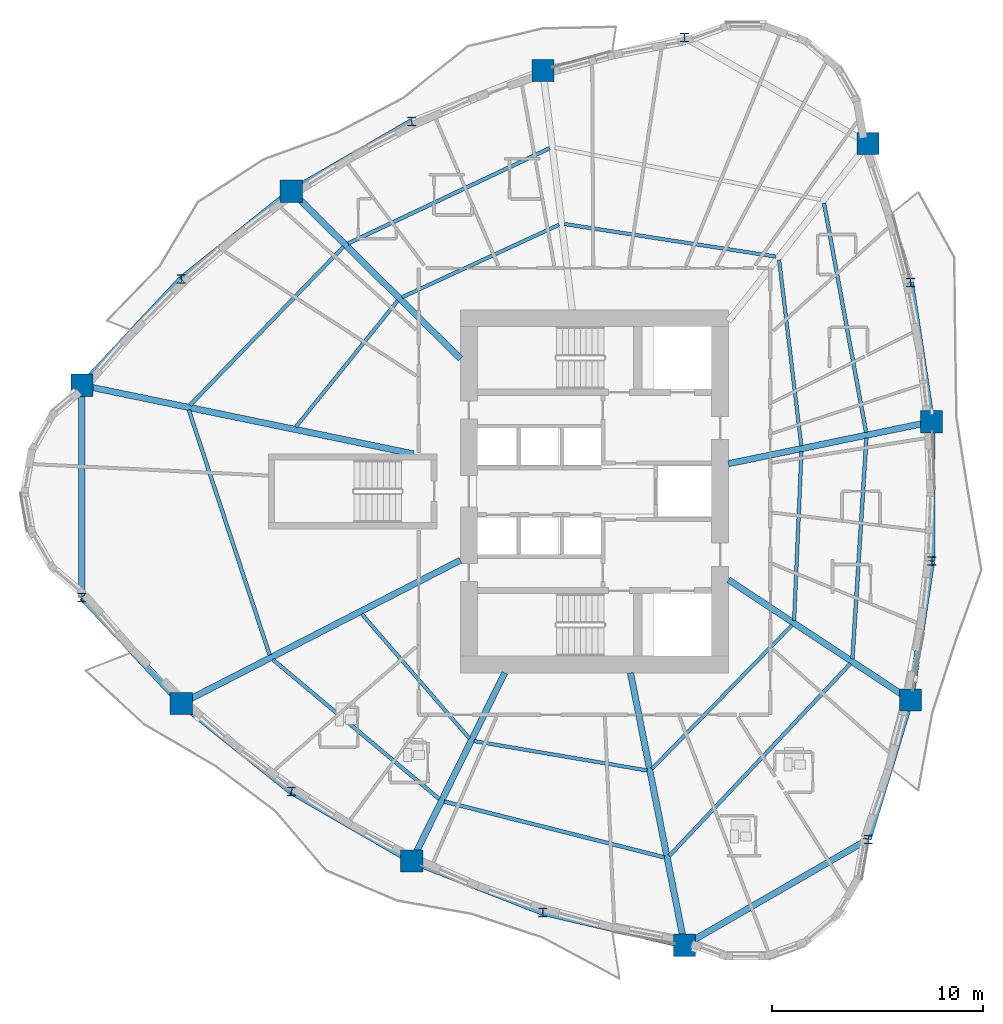
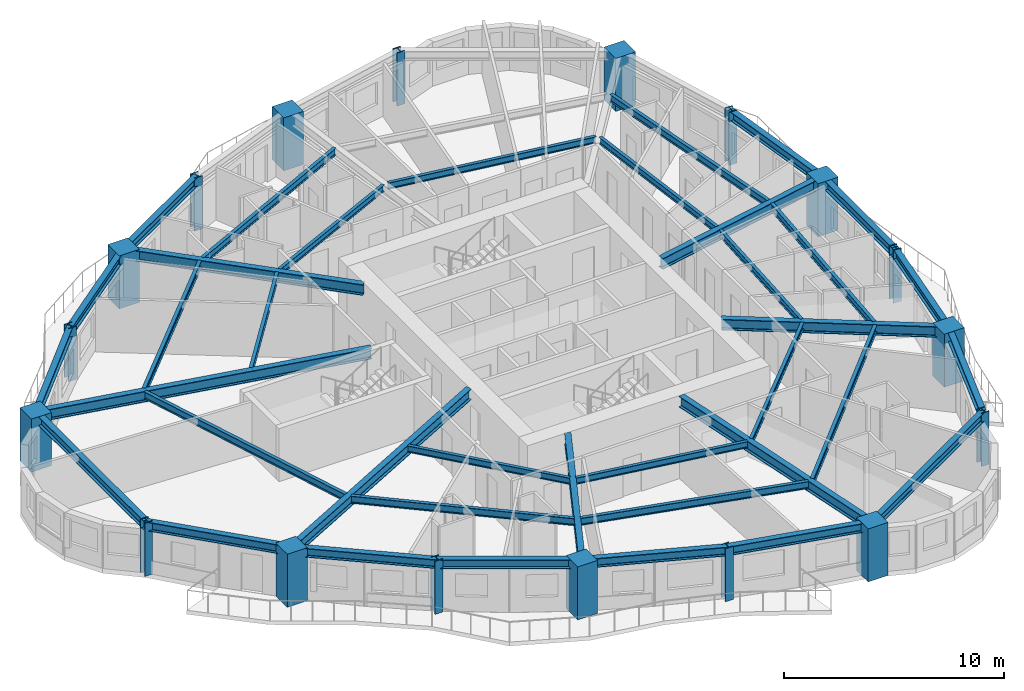
# One storey, part 1 of 14: 37 beams, 18 columns.
"""IFC4 building model written with IfcOpenShell, lengths in metres."""

from ifc_helpers import new_model, si_unit, direction, frame, origin, origin_2d, place, context, subcontext, project, spatial, rectangle, i_section, extrude, source, transform, mapped, material, material_profile, profile_set, type_object, element, save


model = new_model("IFC4")

# Units and contexts
model_context = context("Model", 3, precision=1e-05, world=origin(), true_north=direction((0.0, 1.0)))
body_context = subcontext(model_context, "Body", "Model", "MODEL_VIEW")
ifc_project = project(units=[si_unit("LENGTHUNIT", "METRE"), si_unit("AREAUNIT", "SQUARE_METRE"), si_unit("VOLUMEUNIT", "CUBIC_METRE"), si_unit("PLANEANGLEUNIT", "RADIAN"), si_unit("MASSUNIT", "GRAM", prefix="KILO")], contexts=[model_context])

# Site, building, storey
site_placement = place(None, origin())
site = spatial("IfcSite", under=ifc_project, at=site_placement, CompositionType="ELEMENT")
building_placement = place(site_placement, origin())
building = spatial("IfcBuilding", under=site, at=building_placement, Name="Qafzar Sky-Pleat Residences", CompositionType="ELEMENT")
storey_placement = place(building_placement, frame((0.0, 0.0, 43.0)))
storey = spatial("IfcBuildingStorey", under=building, at=storey_placement, Name="L12", CompositionType="ELEMENT", Elevation=43.0)

# Columns
ifc_material_1 = material(Name="Concrete C60/75", Category="concrete")
ifc_material_profile_1 = material_profile(ifc_material_1, rectangle(XDim=1.050048828125, YDim=1.050048828125, at=origin_2d()), Name="RC 1050x1050")
ifc_profile_set_1 = profile_set([ifc_material_profile_1], Name="Concrete C60/75")
column_type_1 = type_object("IfcColumnType", Name="COL-RC-1050", PredefinedType="COLUMN", material=ifc_profile_set_1)
shared_shape_1 = source(origin(), body_context, "Body", "SweptSolid", [
    extrude(rectangle(XDim=1.050048828125, YDim=1.050048828125, at=origin_2d()), origin(), (0.0, 0.0, 1.0), 2.93994140625),
])
for number, where, z_axis, x_axis, name in (
    (1, (6.06494140625, 31.02294921875, 0.0), (0.0, 0.0, 1.0), (1.0, 0.0, 0.0), "L12 Perimeter Mega Column 1"),
    (2, (10.773193359375, 15.944091796875, 0.0), (0.0, 0.0, 1.0), (1.0, 0.0, 0.0), "L12 Perimeter Mega Column 3"),
    (3, (21.693115234375, 8.482177734375, 0.0), (0.0, 0.0, 1.0), (1.0, 0.0, 0.0), "L12 Perimeter Mega Column 5"),
    (4, (34.617431640625, 4.4921875, 0.0), (0.0, 0.0, 1.0), (1.0, 0.0, 0.0), "L12 Perimeter Mega Column 7"),
    (5, (45.322021484375, 16.109130859375, 0.0), (0.0, 0.0, 1.0), (1.0, 0.0, 0.0), "L12 Perimeter Mega Column 9"),
    (6, (46.32421875, 29.297119140625, 0.0), (0.0, 0.0, 1.0), (1.0, 0.0, 0.0), "L12 Perimeter Mega Column 11"),
    (7, (43.3173828125, 42.48486328125, 0.0), (0.0, 0.0, 1.0), (1.0, 0.0, 0.0), "L12 Perimeter Mega Column 13"),
    (8, (27.90478515625, 45.94677734375, 0.0), (0.0, 0.0, 1.0), (1.0, 0.0, 0.0), "L12 Perimeter Mega Column 15"),
    (9, (15.982666015625, 40.220947265625, 0.0), (0.0, 0.0, 1.0), (1.0, 0.0, 0.0), "L12 Perimeter Mega Column 17"),
):
    element("IfcColumn", number, at=place(storey_placement, frame(where, z_axis=z_axis, x_axis=x_axis)), inside=storey, type_object=column_type_1, Name=name, PredefinedType="COLUMN", context=body_context, shape_type="MappedRepresentation", body=[
        mapped(shared_shape_1, transform((0.0, 0.0, 0.0), x_axis=(1.0, 0.0, 0.0), y_axis=(0.0, 1.0, 0.0), z_axis=(0.0, 0.0, 1.0), scale=1.0)),
    ])
ifc_material_2 = material(Name="Steel S460", Category="steel")
ifc_material_profile_2 = material_profile(ifc_material_2, i_section(OverallWidth=0.408935546875, OverallDepth=0.425048828125, WebThickness=0.030029296875, FlangeThickness=0.048095703125, FilletRadius=0.014892578125, at=origin_2d()), Name="HD 400x421")
ifc_profile_set_2 = profile_set([ifc_material_profile_2], Name="Steel S460")
column_type_2 = type_object("IfcColumnType", Name="COL-STL-HD421", PredefinedType="PILASTER", material=ifc_profile_set_2)
shared_shape_2 = source(origin(), body_context, "Body", "SweptSolid", [
    extrude(i_section(OverallWidth=0.408935546875, OverallDepth=0.425048828125, WebThickness=0.030029296875, FlangeThickness=0.048095703125, FilletRadius=0.014892578125, at=origin_2d()), origin(), (0.0, 0.0, 1.0), 2.93994140625),
])
for number, where, z_axis, x_axis, name in (
    (10, (6.06494140625, 20.97705078125, 0.0), (0.0, 0.0, 1.0), (1.0, 0.0, 0.0), "L12 Perimeter Mega Column 2"),
    (11, (15.982666015625, 11.779052734375, 0.0), (0.0, 0.0, 1.0), (1.0, 0.0, 0.0), "L12 Perimeter Mega Column 4"),
    (12, (27.90478515625, 6.05322265625, 0.0), (0.0, 0.0, 1.0), (1.0, 0.0, 0.0), "L12 Perimeter Mega Column 6"),
    (13, (43.3173828125, 9.51513671875, 0.0), (0.0, 0.0, 1.0), (1.0, 0.0, 0.0), "L12 Perimeter Mega Column 8"),
    (14, (46.32421875, 22.702880859375, 0.0), (0.0, 0.0, 1.0), (1.0, 0.0, 0.0), "L12 Perimeter Mega Column 10"),
    (15, (45.322021484375, 35.890869140625, 0.0), (0.0, 0.0, 1.0), (1.0, 0.0, 0.0), "L12 Perimeter Mega Column 12"),
    (16, (34.617431640625, 47.5078125, 0.0), (0.0, 0.0, 1.0), (1.0, 0.0, 0.0), "L12 Perimeter Mega Column 14"),
    (17, (21.693115234375, 43.517822265625, 0.0), (0.0, 0.0, 1.0), (1.0, 0.0, 0.0), "L12 Perimeter Mega Column 16"),
    (18, (10.773193359375, 36.055908203125, 0.0), (0.0, 0.0, 1.0), (1.0, 0.0, 0.0), "L12 Perimeter Mega Column 18"),
):
    element("IfcColumn", number, at=place(storey_placement, frame(where, z_axis=z_axis, x_axis=x_axis)), inside=storey, type_object=column_type_2, Name=name, PredefinedType="PILASTER", context=body_context, shape_type="MappedRepresentation", body=[
        mapped(shared_shape_2, transform((0.0, 0.0, 0.0), x_axis=(1.0, 0.0, 0.0), y_axis=(0.0, 1.0, 0.0), z_axis=(0.0, 0.0, 1.0), scale=1.0)),
    ])

# Beams
ifc_material_3 = material(Name="Steel S355", Category="steel")
ifc_material_profile_3 = material_profile(ifc_material_3, i_section(OverallWidth=0.300048828125, OverallDepth=0.5, WebThickness=0.014404296875, FlangeThickness=0.028076171875, FilletRadius=0.027099609375, at=origin_2d()), Name="HEB 500")
ifc_profile_set_3 = profile_set([ifc_material_profile_3], Name="Steel S355")
beam_type_1 = type_object("IfcBeamType", Name="BM-SPAN-HEB500", PredefinedType="SPANDREL", material=ifc_profile_set_3)
shared_shape_3 = source(origin(), body_context, "Body", "SweptSolid", [
    extrude(i_section(OverallWidth=0.300048828125, OverallDepth=0.5, WebThickness=0.014404296875, FlangeThickness=0.028076171875, FilletRadius=0.027099609375, at=origin_2d()), origin(), (0.0, 0.0, 1.0), 10.0458984375),
])
for number, where, z_axis, x_axis, name in (
    (19, (6.06494140625, 31.02294921875, 2.68798828125), (0.0, -1.0, 0.0), (1.0, 0.0, 0.0), "L12 Perimeter Spandrel Beam 1"),
    (20, (34.617431640625, 4.4921875, 2.68798828125), (0.866024107753, 0.500002244785, 0.0), (-0.500002244785, 0.866024107753, 0.0), "L12 Perimeter Spandrel Beam 7"),
):
    element("IfcBeam", number, at=place(storey_placement, frame(where, z_axis=z_axis, x_axis=x_axis)), inside=storey, type_object=beam_type_1, Name=name, PredefinedType="SPANDREL", context=body_context, shape_type="MappedRepresentation", body=[
        mapped(shared_shape_3, transform((0.0, 0.0, 0.0), x_axis=(1.0, 0.0, 0.0), y_axis=(0.0, 1.0, 0.0), z_axis=(0.0, 0.0, 1.0), scale=1.0)),
    ])
shared_shape_4 = source(origin(), body_context, "Body", "SweptSolid", [
    extrude(i_section(OverallWidth=0.300048828125, OverallDepth=0.5, WebThickness=0.014404296875, FlangeThickness=0.028076171875, FilletRadius=0.027099609375, at=origin_2d()), origin(), (0.0, 0.0, 1.0), 6.891845703125),
])
for number, where, z_axis, x_axis, name in (
    (21, (6.06494140625, 20.97705078125, 2.68798828125), (0.683157128776, -0.730271413519, 0.0), (0.730271413519, 0.683157128776, 0.0), "L12 Perimeter Spandrel Beam 2"),
    (22, (27.90478515625, 6.05322265625, 2.68798828125), (0.974009481097, -0.226507242122, 0.0), (0.226507242122, 0.974009481097, 0.0), "L12 Perimeter Spandrel Beam 6"),
    (23, (10.773193359375, 36.055908203125, 2.68798828125), (-0.683157128776, -0.730271413519, 0.0), (0.730271413519, -0.683157128776, 0.0), "L12 Perimeter Spandrel Beam 18"),
):
    element("IfcBeam", number, at=place(storey_placement, frame(where, z_axis=z_axis, x_axis=x_axis)), inside=storey, type_object=beam_type_1, Name=name, PredefinedType="SPANDREL", context=body_context, shape_type="MappedRepresentation", body=[
        mapped(shared_shape_4, transform((0.0, 0.0, 0.0), x_axis=(1.0, 0.0, 0.0), y_axis=(0.0, 1.0, 0.0), z_axis=(0.0, 0.0, 1.0), scale=1.0)),
    ])
shared_shape_5 = source(origin(), body_context, "Body", "SweptSolid", [
    extrude(i_section(OverallWidth=0.300048828125, OverallDepth=0.5, WebThickness=0.014404296875, FlangeThickness=0.028076171875, FilletRadius=0.027099609375, at=origin_2d()), origin(), (0.0, 0.0, 1.0), 6.669677734375),
])
for number, where, z_axis, x_axis, name in (
    (24, (10.773193359375, 15.944091796875, 2.68798828125), (0.781054472885, -0.624462897526, 0.0), (0.624462897526, 0.781054472885, 0.0), "L12 Perimeter Spandrel Beam 3"),
    (25, (21.693115234375, 8.482177734375, 2.68798828125), (0.931329164227, -0.364178510981, 0.0), (0.364178510981, 0.931329164227, 0.0), "L12 Perimeter Spandrel Beam 5"),
    (26, (15.982666015625, 40.220947265625, 2.68798828125), (-0.781054472885, -0.624462897526, 0.0), (0.624462897526, -0.781054472885, 0.0), "L12 Perimeter Spandrel Beam 17"),
):
    element("IfcBeam", number, at=place(storey_placement, frame(where, z_axis=z_axis, x_axis=x_axis)), inside=storey, type_object=beam_type_1, Name=name, PredefinedType="SPANDREL", context=body_context, shape_type="MappedRepresentation", body=[
        mapped(shared_shape_5, transform((0.0, 0.0, 0.0), x_axis=(1.0, 0.0, 0.0), y_axis=(0.0, 1.0, 0.0), z_axis=(0.0, 0.0, 1.0), scale=1.0)),
    ])
shared_shape_6 = source(origin(), body_context, "Body", "SweptSolid", [
    extrude(i_section(OverallWidth=0.300048828125, OverallDepth=0.5, WebThickness=0.014404296875, FlangeThickness=0.028076171875, FilletRadius=0.027099609375, at=origin_2d()), origin(), (0.0, 0.0, 1.0), 6.59375),
])
for number, where, z_axis, x_axis, name in (
    (27, (15.982666015625, 11.779052734375, 2.68798828125), (0.866028975758, -0.49999381311, 0.0), (0.49999381311, 0.866028975758, 0.0), "L12 Perimeter Spandrel Beam 4"),
    (28, (21.693115234375, 43.517822265625, 2.68798828125), (-0.866028975758, -0.49999381311, 0.0), (0.49999381311, -0.866028975758, 0.0), "L12 Perimeter Spandrel Beam 16"),
):
    element("IfcBeam", number, at=place(storey_placement, frame(where, z_axis=z_axis, x_axis=x_axis)), inside=storey, type_object=beam_type_1, Name=name, PredefinedType="SPANDREL", context=body_context, shape_type="MappedRepresentation", body=[
        mapped(shared_shape_6, transform((0.0, 0.0, 0.0), x_axis=(1.0, 0.0, 0.0), y_axis=(0.0, 1.0, 0.0), z_axis=(0.0, 0.0, 1.0), scale=1.0)),
    ])
shared_shape_7 = source(origin(), body_context, "Body", "SweptSolid", [
    extrude(i_section(OverallWidth=0.300048828125, OverallDepth=0.5, WebThickness=0.014404296875, FlangeThickness=0.028076171875, FilletRadius=0.027099609375, at=origin_2d()), origin(), (0.0, 0.0, 1.0), 6.89208984375),
])
beam_1_placement = place(storey_placement, frame((43.3173828125, 9.51513671875, 2.68798828125), z_axis=(0.290865585576, 0.95676392654, 0.0), x_axis=(-0.95676392654, 0.290865585576, 0.0)))
element("IfcBeam", 29, at=beam_1_placement, inside=storey, type_object=beam_type_1, Name="L12 Perimeter Spandrel Beam 8", PredefinedType="SPANDREL", context=body_context, shape_type="MappedRepresentation", body=[
    mapped(shared_shape_7, transform((0.0, 0.0, 0.0), x_axis=(1.0, 0.0, 0.0), y_axis=(0.0, 1.0, 0.0), z_axis=(0.0, 0.0, 1.0), scale=1.0)),
])
shared_shape_8 = source(origin(), body_context, "Body", "SweptSolid", [
    extrude(i_section(OverallWidth=0.300048828125, OverallDepth=0.5, WebThickness=0.014404296875, FlangeThickness=0.028076171875, FilletRadius=0.027099609375, at=origin_2d()), origin(), (0.0, 0.0, 1.0), 6.66943359375),
])
for number, where, z_axis, x_axis, name in (
    (30, (45.322021484375, 16.109130859375, 2.68798828125), (0.150266219826, 0.98864557005, 0.0), (-0.98864557005, 0.150266219826, 0.0), "L12 Perimeter Spandrel Beam 9"),
    (31, (46.32421875, 29.297119140625, 2.68798828125), (-0.150266219826, 0.98864557005, 0.0), (-0.98864557005, -0.150266219826, 0.0), "L12 Perimeter Spandrel Beam 11"),
):
    element("IfcBeam", number, at=place(storey_placement, frame(where, z_axis=z_axis, x_axis=x_axis)), inside=storey, type_object=beam_type_1, Name=name, PredefinedType="SPANDREL", context=body_context, shape_type="MappedRepresentation", body=[
        mapped(shared_shape_8, transform((0.0, 0.0, 0.0), x_axis=(1.0, 0.0, 0.0), y_axis=(0.0, 1.0, 0.0), z_axis=(0.0, 0.0, 1.0), scale=1.0)),
    ])
shared_shape_9 = source(origin(), body_context, "Body", "SweptSolid", [
    extrude(i_section(OverallWidth=0.300048828125, OverallDepth=0.5, WebThickness=0.014404296875, FlangeThickness=0.028076171875, FilletRadius=0.027099609375, at=origin_2d()), origin(), (0.0, 0.0, 1.0), 6.59423828125),
])
beam_2_placement = place(storey_placement, frame((46.32421875, 22.702880859375, 2.68798828125), z_axis=(0.0, 1.0, 0.0), x_axis=(-1.0, 0.0, 0.0)))
element("IfcBeam", 32, at=beam_2_placement, inside=storey, type_object=beam_type_1, Name="L12 Perimeter Spandrel Beam 10", PredefinedType="SPANDREL", context=body_context, shape_type="MappedRepresentation", body=[
    mapped(shared_shape_9, transform((0.0, 0.0, 0.0), x_axis=(1.0, 0.0, 0.0), y_axis=(0.0, 1.0, 0.0), z_axis=(0.0, 0.0, 1.0), scale=1.0)),
])
ifc_material_profile_4 = material_profile(ifc_material_3, i_section(OverallWidth=0.300048828125, OverallDepth=0.60009765625, WebThickness=0.015380859375, FlangeThickness=0.030029296875, FilletRadius=0.027099609375, at=origin_2d()), Name="HEB 600")
ifc_profile_set_4 = profile_set([ifc_material_profile_4], Name="Steel S355")
beam_type_2 = type_object("IfcBeamType", Name="BM-GIRD-HEB600", PredefinedType="BEAM", material=ifc_profile_set_4)
shared_shape_10 = source(origin(), body_context, "Body", "SweptSolid", [
    extrude(i_section(OverallWidth=0.300048828125, OverallDepth=0.60009765625, WebThickness=0.015380859375, FlangeThickness=0.030029296875, FilletRadius=0.027099609375, at=origin_2d()), origin(), (0.0, 0.0, 1.0), 16.035400390625),
])
beam_3_placement = place(storey_placement, frame((6.06494140625, 31.02294921875, 2.637939453125), z_axis=(0.979271250938, -0.202553245063, 0.0), x_axis=(0.202553245063, 0.979271250938, 0.0)))
element("IfcBeam", 33, at=beam_3_placement, inside=storey, type_object=beam_type_2, Name="L12 Radial Floor Girder 1", PredefinedType="BEAM", context=body_context, shape_type="MappedRepresentation", body=[
    mapped(shared_shape_10, transform((0.0, 0.0, 0.0), x_axis=(1.0, 0.0, 0.0), y_axis=(0.0, 1.0, 0.0), z_axis=(0.0, 0.0, 1.0), scale=1.0)),
])
shared_shape_11 = source(origin(), body_context, "Body", "SweptSolid", [
    extrude(i_section(OverallWidth=0.300048828125, OverallDepth=0.60009765625, WebThickness=0.015380859375, FlangeThickness=0.030029296875, FilletRadius=0.027099609375, at=origin_2d()), origin(), (0.0, 0.0, 1.0), 14.86962890625),
])
beam_4_placement = place(storey_placement, frame((10.773193359375, 15.944091796875, 2.637939453125), z_axis=(0.88951111228, 0.456913537915, 0.0), x_axis=(-0.456913537915, 0.88951111228, 0.0)))
element("IfcBeam", 34, at=beam_4_placement, inside=storey, type_object=beam_type_2, Name="L12 Radial Floor Girder 3", PredefinedType="BEAM", context=body_context, shape_type="MappedRepresentation", body=[
    mapped(shared_shape_11, transform((0.0, 0.0, 0.0), x_axis=(1.0, 0.0, 0.0), y_axis=(0.0, 1.0, 0.0), z_axis=(0.0, 0.0, 1.0), scale=1.0)),
])
shared_shape_12 = source(origin(), body_context, "Body", "SweptSolid", [
    extrude(i_section(OverallWidth=0.300048828125, OverallDepth=0.60009765625, WebThickness=0.015380859375, FlangeThickness=0.030029296875, FilletRadius=0.027099609375, at=origin_2d()), origin(), (0.0, 0.0, 1.0), 9.947265625),
])
beam_5_placement = place(storey_placement, frame((21.693115234375, 8.482177734375, 2.637939453125), z_axis=(0.443036319431, 0.896503664055, 0.0), x_axis=(-0.896503664055, 0.443036319431, 0.0)))
element("IfcBeam", 35, at=beam_5_placement, inside=storey, type_object=beam_type_2, Name="L12 Radial Floor Girder 5", PredefinedType="BEAM", context=body_context, shape_type="MappedRepresentation", body=[
    mapped(shared_shape_12, transform((0.0, 0.0, 0.0), x_axis=(1.0, 0.0, 0.0), y_axis=(0.0, 1.0, 0.0), z_axis=(0.0, 0.0, 1.0), scale=1.0)),
])
shared_shape_13 = source(origin(), body_context, "Body", "SweptSolid", [
    extrude(i_section(OverallWidth=0.300048828125, OverallDepth=0.60009765625, WebThickness=0.015380859375, FlangeThickness=0.030029296875, FilletRadius=0.027099609375, at=origin_2d()), origin(), (0.0, 0.0, 1.0), 13.159423828125),
])
beam_6_placement = place(storey_placement, frame((34.617431640625, 4.4921875, 2.637939453125), z_axis=(-0.194617421926, 0.980879227572, 0.0), x_axis=(-0.980879227572, -0.194617421926, 0.0)))
element("IfcBeam", 36, at=beam_6_placement, inside=storey, type_object=beam_type_2, Name="L12 Radial Floor Girder 7", PredefinedType="BEAM", context=body_context, shape_type="MappedRepresentation", body=[
    mapped(shared_shape_13, transform((0.0, 0.0, 0.0), x_axis=(1.0, 0.0, 0.0), y_axis=(0.0, 1.0, 0.0), z_axis=(0.0, 0.0, 1.0), scale=1.0)),
])
shared_shape_14 = source(origin(), body_context, "Body", "SweptSolid", [
    extrude(i_section(OverallWidth=0.300048828125, OverallDepth=0.60009765625, WebThickness=0.015380859375, FlangeThickness=0.030029296875, FilletRadius=0.027099609375, at=origin_2d()), origin(), (0.0, 0.0, 1.0), 10.33349609375),
])
beam_7_placement = place(storey_placement, frame((45.322021484375, 16.109130859375, 2.637939453125), z_axis=(-0.834376455405, 0.551195002395, 0.0), x_axis=(-0.551195002395, -0.834376455405, 0.0)))
element("IfcBeam", 37, at=beam_7_placement, inside=storey, type_object=beam_type_2, Name="L12 Radial Floor Girder 9", PredefinedType="BEAM", context=body_context, shape_type="MappedRepresentation", body=[
    mapped(shared_shape_14, transform((0.0, 0.0, 0.0), x_axis=(1.0, 0.0, 0.0), y_axis=(0.0, 1.0, 0.0), z_axis=(0.0, 0.0, 1.0), scale=1.0)),
])
shared_shape_15 = source(origin(), body_context, "Body", "SweptSolid", [
    extrude(i_section(OverallWidth=0.300048828125, OverallDepth=0.60009765625, WebThickness=0.015380859375, FlangeThickness=0.030029296875, FilletRadius=0.027099609375, at=origin_2d()), origin(), (0.0, 0.0, 1.0), 9.8271484375),
])
beam_8_placement = place(storey_placement, frame((46.32421875, 29.297119140625, 2.637939453125), z_axis=(-0.979354305719, -0.202151289557, 0.0), x_axis=(0.202151289557, -0.979354305719, 0.0)))
element("IfcBeam", 38, at=beam_8_placement, inside=storey, type_object=beam_type_2, Name="L12 Radial Floor Girder 11", PredefinedType="BEAM", context=body_context, shape_type="MappedRepresentation", body=[
    mapped(shared_shape_15, transform((0.0, 0.0, 0.0), x_axis=(1.0, 0.0, 0.0), y_axis=(0.0, 1.0, 0.0), z_axis=(0.0, 0.0, 1.0), scale=1.0)),
])
shared_shape_16 = source(origin(), body_context, "Body", "SweptSolid", [
    extrude(i_section(OverallWidth=0.300048828125, OverallDepth=0.60009765625, WebThickness=0.015380859375, FlangeThickness=0.030029296875, FilletRadius=0.027099609375, at=origin_2d()), origin(), (0.0, 0.0, 1.0), 11.280517578125),
])
beam_9_placement = place(storey_placement, frame((15.982666015625, 40.220947265625, 2.637939453125), z_axis=(0.710722630648, -0.703472346496, 0.0), x_axis=(0.703472346496, 0.710722630648, 0.0)))
element("IfcBeam", 39, at=beam_9_placement, inside=storey, type_object=beam_type_2, Name="L12 Radial Floor Girder 17", PredefinedType="BEAM", context=body_context, shape_type="MappedRepresentation", body=[
    mapped(shared_shape_16, transform((0.0, 0.0, 0.0), x_axis=(1.0, 0.0, 0.0), y_axis=(0.0, 1.0, 0.0), z_axis=(0.0, 0.0, 1.0), scale=1.0)),
])
ifc_material_profile_5 = material_profile(ifc_material_3, i_section(OverallWidth=0.179931640625, OverallDepth=0.39990234375, WebThickness=0.008544921875, FlangeThickness=0.013427734375, FilletRadius=0.02099609375, at=origin_2d()), Name="IPE 400")
ifc_profile_set_5 = profile_set([ifc_material_profile_5], Name="Steel S355")
beam_type_3 = type_object("IfcBeamType", Name="BM-JST-IPE400", PredefinedType="JOIST", material=ifc_profile_set_5)
shared_shape_17 = source(origin(), body_context, "Body", "SweptSolid", [
    extrude(i_section(OverallWidth=0.179931640625, OverallDepth=0.39990234375, WebThickness=0.008544921875, FlangeThickness=0.013427734375, FilletRadius=0.02099609375, at=origin_2d()), origin(), (0.0, 0.0, 1.0), 12.224853515625),
])
beam_10_placement = place(storey_placement, frame((11.13232421875, 29.85546875, 2.738037109375), z_axis=(0.313380515815, -0.949627638766, 0.0), x_axis=(0.949627638766, 0.313380515815, 0.0)))
element("IfcBeam", 40, at=beam_10_placement, inside=storey, type_object=beam_type_3, Name="L12 Outer Secondary Floor Joist 1", PredefinedType="JOIST", context=body_context, shape_type="MappedRepresentation", body=[
    mapped(shared_shape_17, transform((0.0, 0.0, 0.0), x_axis=(1.0, 0.0, 0.0), y_axis=(0.0, 1.0, 0.0), z_axis=(0.0, 0.0, 1.0), scale=1.0)),
])
shared_shape_18 = source(origin(), body_context, "Body", "SweptSolid", [
    extrude(i_section(OverallWidth=0.179931640625, OverallDepth=0.39990234375, WebThickness=0.008544921875, FlangeThickness=0.013427734375, FilletRadius=0.02099609375, at=origin_2d()), origin(), (0.0, 0.0, 1.0), 10.29248046875),
])
beam_11_placement = place(storey_placement, frame((15.109375, 18.031494140625, 2.738037109375), z_axis=(0.766614834717, -0.642107230291, 0.0), x_axis=(0.642107230291, 0.766614834717, 0.0)))
element("IfcBeam", 41, at=beam_11_placement, inside=storey, type_object=beam_type_3, Name="L12 Outer Secondary Floor Joist 2", PredefinedType="JOIST", context=body_context, shape_type="MappedRepresentation", body=[
    mapped(shared_shape_18, transform((0.0, 0.0, 0.0), x_axis=(1.0, 0.0, 0.0), y_axis=(0.0, 1.0, 0.0), z_axis=(0.0, 0.0, 1.0), scale=1.0)),
])
shared_shape_19 = source(origin(), body_context, "Body", "SweptSolid", [
    extrude(i_section(OverallWidth=0.179931640625, OverallDepth=0.39990234375, WebThickness=0.008544921875, FlangeThickness=0.013427734375, FilletRadius=0.02099609375, at=origin_2d()), origin(), (0.0, 0.0, 1.0), 10.763427734375),
])
beam_12_placement = place(storey_placement, frame((23.234130859375, 11.302734375, 2.738037109375), z_axis=(0.969294730882, -0.245901859862, 0.0), x_axis=(0.245901859862, 0.969294730882, 0.0)))
element("IfcBeam", 42, at=beam_12_placement, inside=storey, type_object=beam_type_3, Name="L12 Outer Secondary Floor Joist 3", PredefinedType="JOIST", context=body_context, shape_type="MappedRepresentation", body=[
    mapped(shared_shape_19, transform((0.0, 0.0, 0.0), x_axis=(1.0, 0.0, 0.0), y_axis=(0.0, 1.0, 0.0), z_axis=(0.0, 0.0, 1.0), scale=1.0)),
])
shared_shape_20 = source(origin(), body_context, "Body", "SweptSolid", [
    extrude(i_section(OverallWidth=0.179931640625, OverallDepth=0.39990234375, WebThickness=0.008544921875, FlangeThickness=0.013427734375, FilletRadius=0.02099609375, at=origin_2d()), origin(), (0.0, 0.0, 1.0), 12.51611328125),
])
beam_13_placement = place(storey_placement, frame((33.890380859375, 8.72119140625, 2.738037109375), z_axis=(0.685525313068, 0.728048793106, 0.0), x_axis=(-0.728048793106, 0.685525313068, 0.0)))
element("IfcBeam", 43, at=beam_13_placement, inside=storey, type_object=beam_type_3, Name="L12 Outer Secondary Floor Joist 4", PredefinedType="JOIST", context=body_context, shape_type="MappedRepresentation", body=[
    mapped(shared_shape_20, transform((0.0, 0.0, 0.0), x_axis=(1.0, 0.0, 0.0), y_axis=(0.0, 1.0, 0.0), z_axis=(0.0, 0.0, 1.0), scale=1.0)),
])
shared_shape_21 = source(origin(), body_context, "Body", "SweptSolid", [
    extrude(i_section(OverallWidth=0.179931640625, OverallDepth=0.39990234375, WebThickness=0.008544921875, FlangeThickness=0.013427734375, FilletRadius=0.02099609375, at=origin_2d()), origin(), (0.0, 0.0, 1.0), 10.481201171875),
])
beam_14_placement = place(storey_placement, frame((42.571533203125, 18.06640625, 2.738037109375), z_axis=(0.063403507152, 0.997987973515, 0.0), x_axis=(-0.997987973515, 0.063403507152, 0.0)))
element("IfcBeam", 44, at=beam_14_placement, inside=storey, type_object=beam_type_3, Name="L12 Outer Secondary Floor Joist 5", PredefinedType="JOIST", context=body_context, shape_type="MappedRepresentation", body=[
    mapped(shared_shape_21, transform((0.0, 0.0, 0.0), x_axis=(1.0, 0.0, 0.0), y_axis=(0.0, 1.0, 0.0), z_axis=(0.0, 0.0, 1.0), scale=1.0)),
])
shared_shape_22 = source(origin(), body_context, "Body", "SweptSolid", [
    extrude(i_section(OverallWidth=0.179931640625, OverallDepth=0.39990234375, WebThickness=0.008544921875, FlangeThickness=0.013427734375, FilletRadius=0.02099609375, at=origin_2d()), origin(), (0.0, 0.0, 1.0), 11.0478515625),
])
beam_15_placement = place(storey_placement, frame((43.22021484375, 28.794189453125, 2.738037109375), z_axis=(-0.180656755631, 0.983546204631, 0.0), x_axis=(-0.983546204631, -0.180656755631, 0.0)))
element("IfcBeam", 45, at=beam_15_placement, inside=storey, type_object=beam_type_3, Name="L12 Outer Secondary Floor Joist 6", PredefinedType="JOIST", context=body_context, shape_type="MappedRepresentation", body=[
    mapped(shared_shape_22, transform((0.0, 0.0, 0.0), x_axis=(1.0, 0.0, 0.0), y_axis=(0.0, 1.0, 0.0), z_axis=(0.0, 0.0, 1.0), scale=1.0)),
])
shared_shape_23 = source(origin(), body_context, "Body", "SweptSolid", [
    extrude(i_section(OverallWidth=0.179931640625, OverallDepth=0.39990234375, WebThickness=0.008544921875, FlangeThickness=0.013427734375, FilletRadius=0.02099609375, at=origin_2d()), origin(), (0.0, 0.0, 1.0), 10.572021484375),
])
beam_16_placement = place(storey_placement, frame((28.227783203125, 42.258056640625, 2.738037109375), z_axis=(-0.904048417002, -0.427430064123, 0.0), x_axis=(0.427430064123, -0.904048417002, 0.0)))
element("IfcBeam", 46, at=beam_16_placement, inside=storey, type_object=beam_type_3, Name="L12 Outer Secondary Floor Joist 8", PredefinedType="JOIST", context=body_context, shape_type="MappedRepresentation", body=[
    mapped(shared_shape_23, transform((0.0, 0.0, 0.0), x_axis=(1.0, 0.0, 0.0), y_axis=(0.0, 1.0, 0.0), z_axis=(0.0, 0.0, 1.0), scale=1.0)),
])
shared_shape_24 = source(origin(), body_context, "Body", "SweptSolid", [
    extrude(i_section(OverallWidth=0.179931640625, OverallDepth=0.39990234375, WebThickness=0.008544921875, FlangeThickness=0.013427734375, FilletRadius=0.02099609375, at=origin_2d()), origin(), (0.0, 0.0, 1.0), 10.448486328125),
])
beam_17_placement = place(storey_placement, frame((18.4541015625, 37.584716796875, 2.738037109375), z_axis=(-0.69582572679, -0.718210664037, 0.0), x_axis=(0.718210664037, -0.69582572679, 0.0)))
element("IfcBeam", 47, at=beam_17_placement, inside=storey, type_object=beam_type_3, Name="L12 Outer Secondary Floor Joist 9", PredefinedType="JOIST", context=body_context, shape_type="MappedRepresentation", body=[
    mapped(shared_shape_24, transform((0.0, 0.0, 0.0), x_axis=(1.0, 0.0, 0.0), y_axis=(0.0, 1.0, 0.0), z_axis=(0.0, 0.0, 1.0), scale=1.0)),
])
ifc_material_profile_6 = material_profile(ifc_material_3, i_section(OverallWidth=0.169921875, OverallDepth=0.360107421875, WebThickness=0.008056640625, FlangeThickness=0.0126953125, FilletRadius=0.01806640625, at=origin_2d()), Name="IPE 360")
ifc_profile_set_6 = profile_set([ifc_material_profile_6], Name="Steel S355")
beam_type_4 = type_object("IfcBeamType", Name="BM-JST-IPE360", PredefinedType="JOIST", material=ifc_profile_set_6)
shared_shape_25 = source(origin(), body_context, "Body", "SweptSolid", [
    extrude(i_section(OverallWidth=0.169921875, OverallDepth=0.360107421875, WebThickness=0.008056640625, FlangeThickness=0.0126953125, FilletRadius=0.01806640625, at=origin_2d()), origin(), (0.0, 0.0, 1.0), 7.796630859375),
])
beam_18_placement = place(storey_placement, frame((19.32666015625, 20.190185546875, 2.758056640625), z_axis=(0.65395243507, -0.756535665164, 0.0), x_axis=(0.756535665164, 0.65395243507, 0.0)))
element("IfcBeam", 48, at=beam_18_placement, inside=storey, type_object=beam_type_4, Name="L12 Inner Secondary Floor Joist 2", PredefinedType="JOIST", context=body_context, shape_type="MappedRepresentation", body=[
    mapped(shared_shape_25, transform((0.0, 0.0, 0.0), x_axis=(1.0, 0.0, 0.0), y_axis=(0.0, 1.0, 0.0), z_axis=(0.0, 0.0, 1.0), scale=1.0)),
])
shared_shape_26 = source(origin(), body_context, "Body", "SweptSolid", [
    extrude(i_section(OverallWidth=0.169921875, OverallDepth=0.360107421875, WebThickness=0.008056640625, FlangeThickness=0.0126953125, FilletRadius=0.01806640625, at=origin_2d()), origin(), (0.0, 0.0, 1.0), 8.315673828125),
])
beam_19_placement = place(storey_placement, frame((24.646728515625, 14.1669921875, 2.758056640625), z_axis=(0.985908042509, -0.167288169686, 0.0), x_axis=(0.167288169686, 0.985908042509, 0.0)))
element("IfcBeam", 49, at=beam_19_placement, inside=storey, type_object=beam_type_4, Name="L12 Inner Secondary Floor Joist 3", PredefinedType="JOIST", context=body_context, shape_type="MappedRepresentation", body=[
    mapped(shared_shape_26, transform((0.0, 0.0, 0.0), x_axis=(1.0, 0.0, 0.0), y_axis=(0.0, 1.0, 0.0), z_axis=(0.0, 0.0, 1.0), scale=1.0)),
])
shared_shape_27 = source(origin(), body_context, "Body", "SweptSolid", [
    extrude(i_section(OverallWidth=0.169921875, OverallDepth=0.360107421875, WebThickness=0.008056640625, FlangeThickness=0.0126953125, FilletRadius=0.01806640625, at=origin_2d()), origin(), (0.0, 0.0, 1.0), 9.5078125),
])
beam_20_placement = place(storey_placement, frame((33.072509765625, 12.849853515625, 2.758056640625), z_axis=(0.698075453476, 0.716024204377, 0.0), x_axis=(-0.716024204377, 0.698075453476, 0.0)))
element("IfcBeam", 50, at=beam_20_placement, inside=storey, type_object=beam_type_4, Name="L12 Inner Secondary Floor Joist 4", PredefinedType="JOIST", context=body_context, shape_type="MappedRepresentation", body=[
    mapped(shared_shape_27, transform((0.0, 0.0, 0.0), x_axis=(1.0, 0.0, 0.0), y_axis=(0.0, 1.0, 0.0), z_axis=(0.0, 0.0, 1.0), scale=1.0)),
])
shared_shape_28 = source(origin(), body_context, "Body", "SweptSolid", [
    extrude(i_section(OverallWidth=0.169921875, OverallDepth=0.360107421875, WebThickness=0.008056640625, FlangeThickness=0.0126953125, FilletRadius=0.01806640625, at=origin_2d()), origin(), (0.0, 0.0, 1.0), 8.009033203125),
])
beam_21_placement = place(storey_placement, frame((39.809814453125, 19.889404296875, 2.758056640625), z_axis=(0.043590673979, 0.999049474822, 0.0), x_axis=(-0.999049474822, 0.043590673979, 0.0)))
element("IfcBeam", 51, at=beam_21_placement, inside=storey, type_object=beam_type_4, Name="L12 Inner Secondary Floor Joist 5", PredefinedType="JOIST", context=body_context, shape_type="MappedRepresentation", body=[
    mapped(shared_shape_28, transform((0.0, 0.0, 0.0), x_axis=(1.0, 0.0, 0.0), y_axis=(0.0, 1.0, 0.0), z_axis=(0.0, 0.0, 1.0), scale=1.0)),
])
shared_shape_29 = source(origin(), body_context, "Body", "SweptSolid", [
    extrude(i_section(OverallWidth=0.169921875, OverallDepth=0.360107421875, WebThickness=0.008056640625, FlangeThickness=0.0126953125, FilletRadius=0.01806640625, at=origin_2d()), origin(), (0.0, 0.0, 1.0), 8.869384765625),
])
beam_22_placement = place(storey_placement, frame((40.148681640625, 28.159912109375, 2.758056640625), z_axis=(-0.118419036008, 0.992963711276, 0.0), x_axis=(-0.992963711276, -0.118419036008, 0.0)))
element("IfcBeam", 52, at=beam_22_placement, inside=storey, type_object=beam_type_4, Name="L12 Inner Secondary Floor Joist 6", PredefinedType="JOIST", context=body_context, shape_type="MappedRepresentation", body=[
    mapped(shared_shape_29, transform((0.0, 0.0, 0.0), x_axis=(1.0, 0.0, 0.0), y_axis=(0.0, 1.0, 0.0), z_axis=(0.0, 0.0, 1.0), scale=1.0)),
])
shared_shape_30 = source(origin(), body_context, "Body", "SweptSolid", [
    extrude(i_section(OverallWidth=0.169921875, OverallDepth=0.360107421875, WebThickness=0.008056640625, FlangeThickness=0.0126953125, FilletRadius=0.01806640625, at=origin_2d()), origin(), (0.0, 0.0, 1.0), 10.138671875),
])
beam_23_placement = place(storey_placement, frame((38.948974609375, 37.121337890625, 2.758056640625), z_axis=(-0.98835164535, 0.152187467075, 0.0), x_axis=(-0.152187467075, -0.98835164535, 0.0)))
element("IfcBeam", 53, at=beam_23_placement, inside=storey, type_object=beam_type_4, Name="L12 Inner Secondary Floor Joist 7", PredefinedType="JOIST", context=body_context, shape_type="MappedRepresentation", body=[
    mapped(shared_shape_30, transform((0.0, 0.0, 0.0), x_axis=(1.0, 0.0, 0.0), y_axis=(0.0, 1.0, 0.0), z_axis=(0.0, 0.0, 1.0), scale=1.0)),
])
shared_shape_31 = source(origin(), body_context, "Body", "SweptSolid", [
    extrude(i_section(OverallWidth=0.169921875, OverallDepth=0.360107421875, WebThickness=0.008056640625, FlangeThickness=0.0126953125, FilletRadius=0.01806640625, at=origin_2d()), origin(), (0.0, 0.0, 1.0), 8.18896484375),
])
beam_24_placement = place(storey_placement, frame((28.67236328125, 38.62841796875, 2.758056640625), z_axis=(-0.908067556374, -0.418823725522, 0.0), x_axis=(0.418823725522, -0.908067556374, 0.0)))
element("IfcBeam", 54, at=beam_24_placement, inside=storey, type_object=beam_type_4, Name="L12 Inner Secondary Floor Joist 8", PredefinedType="JOIST", context=body_context, shape_type="MappedRepresentation", body=[
    mapped(shared_shape_31, transform((0.0, 0.0, 0.0), x_axis=(1.0, 0.0, 0.0), y_axis=(0.0, 1.0, 0.0), z_axis=(0.0, 0.0, 1.0), scale=1.0)),
])
shared_shape_32 = source(origin(), body_context, "Body", "SweptSolid", [
    extrude(i_section(OverallWidth=0.169921875, OverallDepth=0.360107421875, WebThickness=0.008056640625, FlangeThickness=0.0126953125, FilletRadius=0.01806640625, at=origin_2d()), origin(), (0.0, 0.0, 1.0), 7.692626953125),
])
beam_25_placement = place(storey_placement, frame((21.029052734375, 35.037109375, 2.758056640625), z_axis=(-0.627790290759, -0.778382522176, 0.0), x_axis=(0.778382522176, -0.627790290759, 0.0)))
element("IfcBeam", 55, at=beam_25_placement, inside=storey, type_object=beam_type_4, Name="L12 Inner Secondary Floor Joist 9", PredefinedType="JOIST", context=body_context, shape_type="MappedRepresentation", body=[
    mapped(shared_shape_32, transform((0.0, 0.0, 0.0), x_axis=(1.0, 0.0, 0.0), y_axis=(0.0, 1.0, 0.0), z_axis=(0.0, 0.0, 1.0), scale=1.0)),
])

save(model, "model.ifc")
